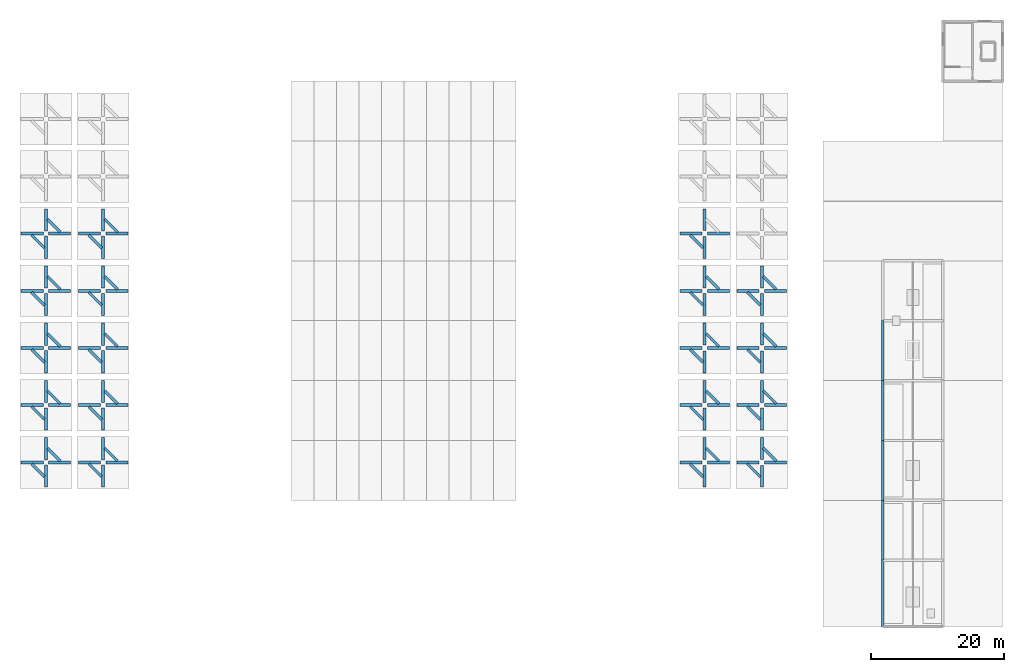
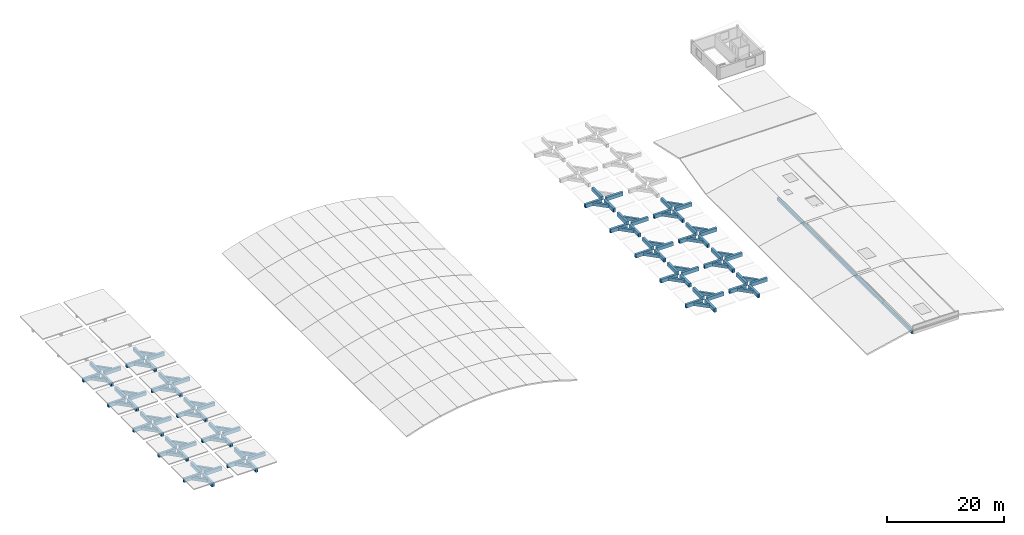
# One storey, part 2 of 7: 118 beams.
"""IFC4 building model written with IfcOpenShell, lengths in metres."""

import ifcopenshell
import ifcopenshell.guid

model = None  # the IFC model being written
_history = None  # IfcOwnerHistory: only IFC2X3 demands one
_inside = {}  # id of a spatial element -> (the spatial element, [elements in it])
_under = {}  # id of a project, library or spatial element -> (it, [spatial elements below it])
_declared = {}  # id of a project -> (the project, [libraries it declares])
_typed = {}  # id of a type object -> (the type object, [elements of that type])
_made_of = {}  # id of a material, layer set ... -> (it, [elements and type objects made of it])


def new_model(schema):
    """Start an empty IFC model of exactly this schema.

    Asked for "IFC4X3", IfcOpenShell would pick the latest addendum, in which some entities
    have other attributes; the version numbers below select the first issue.
    IFC2X3 requires an IfcOwnerHistory on every rooted entity: one is made here for all.
    """
    global model, _history
    if schema == "IFC4X3":
        model = ifcopenshell.file(schema_version=(4, 3, 0, 0))
    else:
        model = ifcopenshell.file(schema=schema)
    _inside.clear()
    _under.clear()
    _declared.clear()
    _typed.clear()
    _made_of.clear()
    _history = None
    if model.schema == "IFC2X3":
        org = make("IfcOrganization", Name="unknown")
        user = make(
            "IfcPersonAndOrganization",
            ThePerson=make("IfcPerson", FamilyName="unknown"),
            TheOrganization=org,
        )
        app = make(
            "IfcApplication",
            ApplicationDeveloper=org,
            Version="unknown",
            ApplicationFullName="unknown",
            ApplicationIdentifier="unknown",
        )
        _history = make(
            "IfcOwnerHistory",
            OwningUser=user,
            OwningApplication=app,
            ChangeAction="ADDED",
            CreationDate=0,
        )
    return model


def make(cls, **values):
    """One entity of the class cls with the attributes given. An attribute that is None is left unset."""
    return model.create_entity(
        cls, **{name: value for name, value in values.items() if value is not None}
    )


def rooted(cls, **values):
    """An entity with a GlobalId (a new one), such as an element, a storey or a relation."""
    return make(cls, GlobalId=ifcopenshell.guid.new(), OwnerHistory=_history, **values)


def si_unit(unit_type, name, prefix=None):
    """IfcSIUnit, for example si_unit("LENGTHUNIT", "METRE", prefix="MILLI")."""
    return make("IfcSIUnit", UnitType=unit_type, Prefix=prefix, Name=name)


def assignment(units):
    """IfcUnitAssignment: the units of a project."""
    return None if units is None else make("IfcUnitAssignment", Units=units)


def point(xyz):
    """IfcCartesianPoint."""
    return None if xyz is None else make("IfcCartesianPoint", Coordinates=xyz)


def direction(xyz):
    """IfcDirection."""
    return None if xyz is None else make("IfcDirection", DirectionRatios=xyz)


def frame(location, z_axis=None, x_axis=None):
    """IfcAxis2Placement3D, a coordinate frame: its origin and axes. An axis left out is left unset."""
    return make(
        "IfcAxis2Placement3D",
        Location=point(location),
        Axis=direction(z_axis),
        RefDirection=direction(x_axis),
    )


def frame_2d(location, x_axis=None):
    """IfcAxis2Placement2D, a coordinate frame in the plane: its origin and x axis."""
    return make(
        "IfcAxis2Placement2D", Location=point(location), RefDirection=direction(x_axis)
    )


def origin():
    """The frame at (0, 0, 0) with its axes left unset."""
    return frame((0.0, 0.0, 0.0))


def origin_2d():
    """The frame at (0, 0) in the plane with its x axis left unset."""
    return frame_2d((0.0, 0.0))


def place(relative_to, where):
    """IfcLocalPlacement: puts the frame where relative to a parent placement (None: the world)."""
    return make(
        "IfcLocalPlacement", PlacementRelTo=relative_to, RelativePlacement=where
    )


def context(
    kind, dimensions, precision=None, world=None, true_north=None, identifier=None
):
    """IfcGeometricRepresentationContext, for example the 3D "Model" context."""
    return make(
        "IfcGeometricRepresentationContext",
        ContextIdentifier=identifier,
        ContextType=kind,
        CoordinateSpaceDimension=dimensions,
        Precision=precision,
        WorldCoordinateSystem=world,
        TrueNorth=true_north,
    )


def subcontext(parent, identifier, kind, view, scale=None):
    """IfcGeometricRepresentationSubContext, for example "Body" below "Model"."""
    return make(
        "IfcGeometricRepresentationSubContext",
        ContextIdentifier=identifier,
        ContextType=kind,
        ParentContext=parent,
        TargetScale=scale,
        TargetView=view,
    )


def project(units=None, contexts=None):
    """IfcProject with its units and contexts."""
    return rooted(
        "IfcProject",
        Name="project",
        RepresentationContexts=contexts,
        UnitsInContext=assignment(units),
    )


def spatial(cls, under=None, at=None, **own):
    """A site, building, storey or space (cls), placed at a placement, below another one or the project."""
    s = rooted(cls, ObjectPlacement=at, **own)
    if under is not None:
        _under.setdefault(under.id(), (under, []))[1].append(s)
    return s


def profile(cls, at=None, kind="AREA", **sizes):
    """A parametric profile (cls). Its sizes go by their IFC names, for example OverallWidth=200.0."""
    return make(cls, ProfileType=kind, Position=at, **sizes)


def rectangle(**sizes):
    """IfcRectangleProfileDef."""
    return profile("IfcRectangleProfileDef", **sizes)


def extrude(swept, where, along, depth):
    """IfcExtrudedAreaSolid: the profile swept, set in the frame where, extruded along a direction by depth."""
    return make(
        "IfcExtrudedAreaSolid",
        SweptArea=swept,
        Position=where,
        ExtrudedDirection=direction(along),
        Depth=depth,
    )


def shape(context_of_items, identifier, shape_type, items):
    """IfcShapeRepresentation: the items that make up one representation, for example the "Body"."""
    return make(
        "IfcShapeRepresentation",
        ContextOfItems=context_of_items,
        RepresentationIdentifier=identifier,
        RepresentationType=shape_type,
        Items=items,
    )


def material(Name=None, Category=None):
    """IfcMaterial."""
    return make("IfcMaterial", Name=Name, Category=Category)


def material_profile(
    of_material, cross_section, Name=None, Category=None, Priority=None
):
    """IfcMaterialProfile: a cross section and its material."""
    return make(
        "IfcMaterialProfile",
        Name=Name,
        Material=of_material,
        Profile=cross_section,
        Priority=Priority,
        Category=Category,
    )


def profile_set(profiles, Name=None, composite=None):
    """IfcMaterialProfileSet."""
    return make(
        "IfcMaterialProfileSet",
        Name=Name,
        MaterialProfiles=profiles,
        CompositeProfile=composite,
    )


def made_of(thing, what):
    """Note that an element or type object is made of a material, layer set ...; save() writes the relation."""
    if what is not None:
        _made_of.setdefault(what.id(), (what, []))[1].append(thing)
    return thing


def type_object(cls, material=None, **own):
    """A type object (cls), such as IfcWallType, which elements share."""
    return made_of(rooted(cls, **own), material)


def element(
    cls,
    number,
    at=None,
    inside=None,
    cuts=None,
    type_object=None,
    material=None,
    context=None,
    identifier="Body",
    shape_type=None,
    held_by="IfcProductDefinitionShape",
    body=None,
    shapes=None,
    **own,
):
    """One element of the class cls, such as IfcWall. Its Tag is "e" and its number.

    at: its placement. inside: the storey or other place that contains it. cuts: it is an
    opening in that element (IfcRelVoidsElement). A single representation is given by context,
    identifier, shape_type and body (its items); several are given by shapes. held_by: the class
    of the entity that holds the representations. save() writes the other relations.
    """
    e = rooted(cls, Tag="e%d" % number, ObjectPlacement=at, **own)
    if body is not None:
        shapes = [shape(context, identifier, shape_type, body)]
    if shapes is not None:
        e.Representation = make(held_by, Representations=shapes)
    if inside is not None:
        _inside.setdefault(inside.id(), (inside, []))[1].append(e)
    if cuts is not None:
        rooted(
            "IfcRelVoidsElement", RelatingBuildingElement=cuts, RelatedOpeningElement=e
        )
    if type_object is not None:
        _typed.setdefault(type_object.id(), (type_object, []))[1].append(e)
    return made_of(e, material)


def aggregate(whole, parts):
    """IfcRelAggregates: a whole, such as a stair, and the parts it consists of."""
    return rooted("IfcRelAggregates", RelatingObject=whole, RelatedObjects=parts)


def save(model, path):
    """Write the relations noted so far, then the file.

    IfcRelAggregates (storeys below a building ...), IfcRelContainedInSpatialStructure (elements
    in a storey), IfcRelDefinesByType, IfcRelAssociatesMaterial and IfcRelDeclares: one each for
    every whole, place, type object, material and project.
    """
    for whole, parts in _under.values():
        aggregate(whole, parts)
    for where, things in _inside.values():
        rooted(
            "IfcRelContainedInSpatialStructure",
            RelatedElements=things,
            RelatingStructure=where,
        )
    for kind, things in _typed.values():
        rooted("IfcRelDefinesByType", RelatedObjects=things, RelatingType=kind)
    for what, things in _made_of.values():
        rooted("IfcRelAssociatesMaterial", RelatedObjects=things, RelatingMaterial=what)
    for by, libraries in _declared.values():
        rooted("IfcRelDeclares", RelatingContext=by, RelatedDefinitions=libraries)
    model.write(path)


model = new_model("IFC4")

# Units and contexts
model_context = context("Model", 3, precision=1e-05, world=origin(), true_north=direction((0.0, 1.0)))
body_context = subcontext(model_context, "Body", "Model", "MODEL_VIEW")
ifc_project = project(units=[si_unit("LENGTHUNIT", "METRE"), si_unit("AREAUNIT", "SQUARE_METRE"), si_unit("VOLUMEUNIT", "CUBIC_METRE"), si_unit("PLANEANGLEUNIT", "RADIAN"), si_unit("MASSUNIT", "GRAM", prefix="KILO")], contexts=[model_context])

# Site, building, storey
site_placement = place(None, origin())
site = spatial("IfcSite", under=ifc_project, at=site_placement, CompositionType="ELEMENT")
building_placement = place(site_placement, origin())
building = spatial("IfcBuilding", under=site, at=building_placement, Name="Ornek Quay Market", CompositionType="ELEMENT")
storey_placement = place(building_placement, frame((0.0, 0.0, 16.64990234375)))
storey = spatial("IfcBuildingStorey", under=building, at=storey_placement, Name="ROOF", CompositionType="ELEMENT", Elevation=16.64990234375)

# Beams
ifc_material_1 = material(Name="Concrete C35/45", Category="concrete")
ifc_material_profile_1 = material_profile(ifc_material_1, rectangle(XDim=0.35009765625, YDim=0.60009765625, at=origin_2d()), Name="RC 350x600", Category="concrete")
ifc_profile_set_1 = profile_set([ifc_material_profile_1], Name="Concrete C35/45")
beam_type_1 = type_object("IfcBeamType", Name="BM-RF-350x600", PredefinedType="BEAM", material=ifc_profile_set_1)
beam_1_placement = place(storey_placement, frame((162.0, 10.0, 0.130126953125), z_axis=(0.0, 1.0, 0.0), x_axis=(-1.0, 0.0, 0.0)))
element("IfcBeam", 1, at=beam_1_placement, inside=storey, type_object=beam_type_1, Name="Primary beam B-RF1-038", PredefinedType="BEAM", context=body_context, shape_type="SweptSolid", body=[
    extrude(rectangle(XDim=0.35009765625, YDim=0.60009765625, at=origin_2d()), origin(), (0.0, 0.0, 1.0), 10.0),
])
for number, where, z_axis, x_axis, name in (
    (2, (162.0, 20.0, 0.130126953125), (0.0, 1.0, 0.0), (-1.0, 0.0, 0.0), "Primary beam B-RF1-039"),
    (3, (162.0, 29.0, 0.130126953125), (0.0, 1.0, 0.0), (-1.0, 0.0, 0.0), "Primary beam B-RF1-040"),
    (4, (162.0, 38.0, 0.130126953125), (0.0, 1.0, 0.0), (-1.0, 0.0, 0.0), "Primary beam B-RF1-041"),
    (5, (162.0, 47.0, 0.130126953125), (0.0, 1.0, 0.0), (-1.0, 0.0, 0.0), "Primary beam B-RF1-042"),
):
    element("IfcBeam", number, at=place(storey_placement, frame(where, z_axis=z_axis, x_axis=x_axis)), inside=storey, type_object=beam_type_1, Name=name, PredefinedType="BEAM", context=body_context, shape_type="SweptSolid", body=[
        extrude(rectangle(XDim=0.35009765625, YDim=0.60009765625, at=origin_2d()), origin(), (0.0, 0.0, 1.0), 9.0),
    ])
ifc_material_2 = material(Name="Concrete C40/50", Category="concrete")
ifc_material_profile_2 = material_profile(ifc_material_2, rectangle(XDim=0.39990234375, YDim=0.64990234375, at=origin_2d()), Name="RC 400x650", Category="concrete")
ifc_profile_set_2 = profile_set([ifc_material_profile_2], Name="Concrete C40/50")
beam_type_2 = type_object("IfcBeamType", Name="BM-UMB-400x650", PredefinedType="BEAM", material=ifc_profile_set_2)
for number, where, z_axis, x_axis, name in (
    (6, (38.35009765625, 34.925048828125, -0.294921875), (-0.707106781187, 0.707106781187, 0.0), (-0.707106781187, -0.707106781187, 0.0), "Umbrella diagonal rib UMB-W01 EN"),
    (7, (34.050048828125, 34.47509765625, -0.294921875), (0.707106781187, -0.707106781187, 0.0), (0.707106781187, 0.707106781187, 0.0), "Umbrella diagonal rib UMB-W01 WS"),
    (8, (38.35009765625, 43.52490234375, -0.294921875), (-0.707106781187, 0.707106781187, 0.0), (-0.707106781187, -0.707106781187, 0.0), "Umbrella diagonal rib UMB-W02 EN"),
    (9, (34.050048828125, 43.074951171875, -0.294921875), (0.707106781187, -0.707106781187, 0.0), (0.707106781187, 0.707106781187, 0.0), "Umbrella diagonal rib UMB-W02 WS"),
    (10, (38.35009765625, 52.125, -0.294921875), (-0.707106781187, 0.707106781187, 0.0), (-0.707106781187, -0.707106781187, 0.0), "Umbrella diagonal rib UMB-W03 EN"),
    (11, (34.050048828125, 51.675048828125, -0.294921875), (0.707106781187, -0.707106781187, 0.0), (0.707106781187, 0.707106781187, 0.0), "Umbrella diagonal rib UMB-W03 WS"),
):
    element("IfcBeam", number, at=place(storey_placement, frame(where, z_axis=z_axis, x_axis=x_axis)), inside=storey, type_object=beam_type_2, Name=name, PredefinedType="BEAM", context=body_context, shape_type="SweptSolid", body=[
        extrude(rectangle(XDim=0.39990234375, YDim=0.64990234375, at=origin_2d()), origin(), (0.0, 0.0, 1.0), 2.722412109375),
    ])
for number, where, z_axis, x_axis, name in (
    (12, (38.35009765625, 60.72509765625, -0.294921875), (-0.707151621339, 0.707061938191, 0.0), (-0.707061938191, -0.707151621339, 0.0), "Umbrella diagonal rib UMB-W04 EN"),
    (13, (34.050048828125, 60.27490234375, -0.294921875), (0.707151621339, -0.707061938191, 0.0), (0.707061938191, 0.707151621339, 0.0), "Umbrella diagonal rib UMB-W04 WS"),
):
    element("IfcBeam", number, at=place(storey_placement, frame(where, z_axis=z_axis, x_axis=x_axis)), inside=storey, type_object=beam_type_2, Name=name, PredefinedType="BEAM", context=body_context, shape_type="SweptSolid", body=[
        extrude(rectangle(XDim=0.39990234375, YDim=0.64990234375, at=origin_2d()), origin(), (0.0, 0.0, 1.0), 2.72216796875),
    ])
for number, where, z_axis, x_axis, name in (
    (14, (38.35009765625, 69.324951171875, -0.294921875), (-0.707106781187, 0.707106781187, 0.0), (-0.707106781187, -0.707106781187, 0.0), "Umbrella diagonal rib UMB-W05 EN"),
    (15, (34.050048828125, 68.875, -0.294921875), (0.707106781187, -0.707106781187, 0.0), (0.707106781187, 0.707106781187, 0.0), "Umbrella diagonal rib UMB-W05 WS"),
    (16, (46.949951171875, 34.925048828125, -0.294921875), (-0.707106781187, 0.707106781187, 0.0), (-0.707106781187, -0.707106781187, 0.0), "Umbrella diagonal rib UMB-W08 EN"),
    (17, (42.64990234375, 34.47509765625, -0.294921875), (0.707106781187, -0.707106781187, 0.0), (0.707106781187, 0.707106781187, 0.0), "Umbrella diagonal rib UMB-W08 WS"),
    (18, (46.949951171875, 43.52490234375, -0.294921875), (-0.707106781187, 0.707106781187, 0.0), (-0.707106781187, -0.707106781187, 0.0), "Umbrella diagonal rib UMB-W09 EN"),
    (19, (42.64990234375, 43.074951171875, -0.294921875), (0.707106781187, -0.707106781187, 0.0), (0.707106781187, 0.707106781187, 0.0), "Umbrella diagonal rib UMB-W09 WS"),
    (20, (46.949951171875, 52.125, -0.294921875), (-0.707106781187, 0.707106781187, 0.0), (-0.707106781187, -0.707106781187, 0.0), "Umbrella diagonal rib UMB-W10 EN"),
    (21, (42.64990234375, 51.675048828125, -0.294921875), (0.707106781187, -0.707106781187, 0.0), (0.707106781187, 0.707106781187, 0.0), "Umbrella diagonal rib UMB-W10 WS"),
):
    element("IfcBeam", number, at=place(storey_placement, frame(where, z_axis=z_axis, x_axis=x_axis)), inside=storey, type_object=beam_type_2, Name=name, PredefinedType="BEAM", context=body_context, shape_type="SweptSolid", body=[
        extrude(rectangle(XDim=0.39990234375, YDim=0.64990234375, at=origin_2d()), origin(), (0.0, 0.0, 1.0), 2.722412109375),
    ])
for number, where, z_axis, x_axis, name in (
    (22, (46.949951171875, 60.72509765625, -0.294921875), (-0.707151621339, 0.707061938191, 0.0), (-0.707061938191, -0.707151621339, 0.0), "Umbrella diagonal rib UMB-W11 EN"),
    (23, (42.64990234375, 60.27490234375, -0.294921875), (0.707151621339, -0.707061938191, 0.0), (0.707061938191, 0.707151621339, 0.0), "Umbrella diagonal rib UMB-W11 WS"),
):
    element("IfcBeam", number, at=place(storey_placement, frame(where, z_axis=z_axis, x_axis=x_axis)), inside=storey, type_object=beam_type_2, Name=name, PredefinedType="BEAM", context=body_context, shape_type="SweptSolid", body=[
        extrude(rectangle(XDim=0.39990234375, YDim=0.64990234375, at=origin_2d()), origin(), (0.0, 0.0, 1.0), 2.72216796875),
    ])
for number, where, z_axis, x_axis, name in (
    (24, (46.949951171875, 69.324951171875, -0.294921875), (-0.707106781187, 0.707106781187, 0.0), (-0.707106781187, -0.707106781187, 0.0), "Umbrella diagonal rib UMB-W12 EN"),
    (25, (42.64990234375, 68.875, -0.294921875), (0.707106781187, -0.707106781187, 0.0), (0.707106781187, 0.707106781187, 0.0), "Umbrella diagonal rib UMB-W12 WS"),
    (26, (137.35009765625, 34.925048828125, 1.405029296875), (-0.707106781187, 0.707106781187, 0.0), (-0.707106781187, -0.707106781187, 0.0), "Umbrella diagonal rib UMB-E01 EN"),
    (27, (133.050048828125, 34.47509765625, 1.405029296875), (0.707106781187, -0.707106781187, 0.0), (0.707106781187, 0.707106781187, 0.0), "Umbrella diagonal rib UMB-E01 WS"),
    (28, (137.35009765625, 43.52490234375, 1.405029296875), (-0.707106781187, 0.707106781187, 0.0), (-0.707106781187, -0.707106781187, 0.0), "Umbrella diagonal rib UMB-E02 EN"),
    (29, (133.050048828125, 43.074951171875, 1.405029296875), (0.707106781187, -0.707106781187, 0.0), (0.707106781187, 0.707106781187, 0.0), "Umbrella diagonal rib UMB-E02 WS"),
    (30, (137.35009765625, 52.125, 1.405029296875), (-0.707106781187, 0.707106781187, 0.0), (-0.707106781187, -0.707106781187, 0.0), "Umbrella diagonal rib UMB-E03 EN"),
    (31, (133.050048828125, 51.675048828125, 1.405029296875), (0.707106781187, -0.707106781187, 0.0), (0.707106781187, 0.707106781187, 0.0), "Umbrella diagonal rib UMB-E03 WS"),
):
    element("IfcBeam", number, at=place(storey_placement, frame(where, z_axis=z_axis, x_axis=x_axis)), inside=storey, type_object=beam_type_2, Name=name, PredefinedType="BEAM", context=body_context, shape_type="SweptSolid", body=[
        extrude(rectangle(XDim=0.39990234375, YDim=0.64990234375, at=origin_2d()), origin(), (0.0, 0.0, 1.0), 2.722412109375),
    ])
for number, where, z_axis, x_axis, name in (
    (32, (137.35009765625, 60.72509765625, 1.405029296875), (-0.707151621339, 0.707061938191, 0.0), (-0.707061938191, -0.707151621339, 0.0), "Umbrella diagonal rib UMB-E04 EN"),
    (33, (133.050048828125, 60.27490234375, 1.405029296875), (0.707151621339, -0.707061938191, 0.0), (0.707061938191, 0.707151621339, 0.0), "Umbrella diagonal rib UMB-E04 WS"),
):
    element("IfcBeam", number, at=place(storey_placement, frame(where, z_axis=z_axis, x_axis=x_axis)), inside=storey, type_object=beam_type_2, Name=name, PredefinedType="BEAM", context=body_context, shape_type="SweptSolid", body=[
        extrude(rectangle(XDim=0.39990234375, YDim=0.64990234375, at=origin_2d()), origin(), (0.0, 0.0, 1.0), 2.72216796875),
    ])
for number, where, z_axis, x_axis, name in (
    (34, (133.050048828125, 68.875, 1.405029296875), (0.707106781187, -0.707106781187, 0.0), (0.707106781187, 0.707106781187, 0.0), "Umbrella diagonal rib UMB-E05 WS"),
    (35, (145.949951171875, 34.925048828125, 1.405029296875), (-0.707106781187, 0.707106781187, 0.0), (-0.707106781187, -0.707106781187, 0.0), "Umbrella diagonal rib UMB-E08 EN"),
    (36, (141.64990234375, 34.47509765625, 1.405029296875), (0.707106781187, -0.707106781187, 0.0), (0.707106781187, 0.707106781187, 0.0), "Umbrella diagonal rib UMB-E08 WS"),
    (37, (145.949951171875, 43.52490234375, 1.405029296875), (-0.707106781187, 0.707106781187, 0.0), (-0.707106781187, -0.707106781187, 0.0), "Umbrella diagonal rib UMB-E09 EN"),
    (38, (141.64990234375, 43.074951171875, 1.405029296875), (0.707106781187, -0.707106781187, 0.0), (0.707106781187, 0.707106781187, 0.0), "Umbrella diagonal rib UMB-E09 WS"),
    (39, (145.949951171875, 52.125, 1.405029296875), (-0.707106781187, 0.707106781187, 0.0), (-0.707106781187, -0.707106781187, 0.0), "Umbrella diagonal rib UMB-E10 EN"),
    (40, (141.64990234375, 51.675048828125, 1.405029296875), (0.707106781187, -0.707106781187, 0.0), (0.707106781187, 0.707106781187, 0.0), "Umbrella diagonal rib UMB-E10 WS"),
):
    element("IfcBeam", number, at=place(storey_placement, frame(where, z_axis=z_axis, x_axis=x_axis)), inside=storey, type_object=beam_type_2, Name=name, PredefinedType="BEAM", context=body_context, shape_type="SweptSolid", body=[
        extrude(rectangle(XDim=0.39990234375, YDim=0.64990234375, at=origin_2d()), origin(), (0.0, 0.0, 1.0), 2.722412109375),
    ])
for number, where, z_axis, x_axis, name in (
    (41, (145.949951171875, 60.72509765625, 1.405029296875), (-0.707151621339, 0.707061938191, 0.0), (-0.707061938191, -0.707151621339, 0.0), "Umbrella diagonal rib UMB-E11 EN"),
    (42, (141.64990234375, 60.27490234375, 1.405029296875), (0.707151621339, -0.707061938191, 0.0), (0.707061938191, 0.707151621339, 0.0), "Umbrella diagonal rib UMB-E11 WS"),
):
    element("IfcBeam", number, at=place(storey_placement, frame(where, z_axis=z_axis, x_axis=x_axis)), inside=storey, type_object=beam_type_2, Name=name, PredefinedType="BEAM", context=body_context, shape_type="SweptSolid", body=[
        extrude(rectangle(XDim=0.39990234375, YDim=0.64990234375, at=origin_2d()), origin(), (0.0, 0.0, 1.0), 2.72216796875),
    ])
ifc_material_profile_3 = material_profile(ifc_material_2, rectangle(XDim=0.449951171875, YDim=0.75, at=origin_2d()), Name="RC 450x750", Category="concrete")
ifc_profile_set_3 = profile_set([ifc_material_profile_3], Name="Concrete C40/50")
beam_type_3 = type_object("IfcBeamType", Name="BM-UMB-450x750", PredefinedType="BEAM", material=ifc_profile_set_3)
beam_2_placement = place(storey_placement, frame((36.60009765625, 34.699951171875, -0.344970703125), z_axis=(1.0, 0.0, 0.0), x_axis=(0.0, 1.0, 0.0)))
element("IfcBeam", 43, at=beam_2_placement, inside=storey, type_object=beam_type_3, Name="Umbrella cantilever rib UMB-W01 E", PredefinedType="BEAM", context=body_context, shape_type="SweptSolid", body=[
    extrude(rectangle(XDim=0.449951171875, YDim=0.75, at=origin_2d()), origin(), (0.0, 0.0, 1.0), 3.31982421875),
])
beam_3_placement = place(storey_placement, frame((35.800048828125, 34.699951171875, -0.344970703125), z_axis=(-1.0, 0.0, 0.0), x_axis=(0.0, -1.0, 0.0)))
element("IfcBeam", 44, at=beam_3_placement, inside=storey, type_object=beam_type_3, Name="Umbrella cantilever rib UMB-W01 W", PredefinedType="BEAM", context=body_context, shape_type="SweptSolid", body=[
    extrude(rectangle(XDim=0.449951171875, YDim=0.75, at=origin_2d()), origin(), (0.0, 0.0, 1.0), 3.320068359375),
])
beam_4_placement = place(storey_placement, frame((36.199951171875, 35.10009765625, -0.344970703125), z_axis=(0.0, 1.0, 0.0), x_axis=(-1.0, 0.0, 0.0)))
element("IfcBeam", 45, at=beam_4_placement, inside=storey, type_object=beam_type_3, Name="Umbrella cantilever rib UMB-W01 N", PredefinedType="BEAM", context=body_context, shape_type="SweptSolid", body=[
    extrude(rectangle(XDim=0.449951171875, YDim=0.75, at=origin_2d()), origin(), (0.0, 0.0, 1.0), 3.31982421875),
])
beam_5_placement = place(storey_placement, frame((36.199951171875, 34.300048828125, -0.344970703125), z_axis=(0.0, -1.0, 0.0), x_axis=(1.0, 0.0, 0.0)))
element("IfcBeam", 46, at=beam_5_placement, inside=storey, type_object=beam_type_3, Name="Umbrella cantilever rib UMB-W01 S", PredefinedType="BEAM", context=body_context, shape_type="SweptSolid", body=[
    extrude(rectangle(XDim=0.449951171875, YDim=0.75, at=origin_2d()), origin(), (0.0, 0.0, 1.0), 3.320068359375),
])
beam_6_placement = place(storey_placement, frame((36.60009765625, 43.300048828125, -0.344970703125), z_axis=(1.0, 0.0, 0.0), x_axis=(0.0, 1.0, 0.0)))
element("IfcBeam", 47, at=beam_6_placement, inside=storey, type_object=beam_type_3, Name="Umbrella cantilever rib UMB-W02 E", PredefinedType="BEAM", context=body_context, shape_type="SweptSolid", body=[
    extrude(rectangle(XDim=0.449951171875, YDim=0.75, at=origin_2d()), origin(), (0.0, 0.0, 1.0), 3.31982421875),
])
for number, where, z_axis, x_axis, name in (
    (48, (35.800048828125, 43.300048828125, -0.344970703125), (-1.0, 0.0, 0.0), (0.0, -1.0, 0.0), "Umbrella cantilever rib UMB-W02 W"),
    (49, (36.199951171875, 43.699951171875, -0.344970703125), (0.0, 1.0, 0.0), (-1.0, 0.0, 0.0), "Umbrella cantilever rib UMB-W02 N"),
):
    element("IfcBeam", number, at=place(storey_placement, frame(where, z_axis=z_axis, x_axis=x_axis)), inside=storey, type_object=beam_type_3, Name=name, PredefinedType="BEAM", context=body_context, shape_type="SweptSolid", body=[
        extrude(rectangle(XDim=0.449951171875, YDim=0.75, at=origin_2d()), origin(), (0.0, 0.0, 1.0), 3.320068359375),
    ])
for number, where, z_axis, x_axis, name in (
    (50, (36.199951171875, 42.89990234375, -0.344970703125), (0.0, -1.0, 0.0), (1.0, 0.0, 0.0), "Umbrella cantilever rib UMB-W02 S"),
    (51, (36.60009765625, 51.89990234375, -0.344970703125), (1.0, 0.0, 0.0), (0.0, 1.0, 0.0), "Umbrella cantilever rib UMB-W03 E"),
):
    element("IfcBeam", number, at=place(storey_placement, frame(where, z_axis=z_axis, x_axis=x_axis)), inside=storey, type_object=beam_type_3, Name=name, PredefinedType="BEAM", context=body_context, shape_type="SweptSolid", body=[
        extrude(rectangle(XDim=0.449951171875, YDim=0.75, at=origin_2d()), origin(), (0.0, 0.0, 1.0), 3.31982421875),
    ])
for number, where, z_axis, x_axis, name in (
    (52, (35.800048828125, 51.89990234375, -0.344970703125), (-1.0, 0.0, 0.0), (0.0, -1.0, 0.0), "Umbrella cantilever rib UMB-W03 W"),
    (53, (36.199951171875, 52.300048828125, -0.344970703125), (0.0, 1.0, 0.0), (-1.0, 0.0, 0.0), "Umbrella cantilever rib UMB-W03 N"),
    (54, (36.199951171875, 51.5, -0.344970703125), (0.0, -1.0, 0.0), (1.0, 0.0, 0.0), "Umbrella cantilever rib UMB-W03 S"),
):
    element("IfcBeam", number, at=place(storey_placement, frame(where, z_axis=z_axis, x_axis=x_axis)), inside=storey, type_object=beam_type_3, Name=name, PredefinedType="BEAM", context=body_context, shape_type="SweptSolid", body=[
        extrude(rectangle(XDim=0.449951171875, YDim=0.75, at=origin_2d()), origin(), (0.0, 0.0, 1.0), 3.320068359375),
    ])
beam_7_placement = place(storey_placement, frame((36.60009765625, 60.5, -0.344970703125), z_axis=(1.0, 0.0, 0.0), x_axis=(0.0, 1.0, 0.0)))
element("IfcBeam", 55, at=beam_7_placement, inside=storey, type_object=beam_type_3, Name="Umbrella cantilever rib UMB-W04 E", PredefinedType="BEAM", context=body_context, shape_type="SweptSolid", body=[
    extrude(rectangle(XDim=0.449951171875, YDim=0.75, at=origin_2d()), origin(), (0.0, 0.0, 1.0), 3.31982421875),
])
for number, where, z_axis, x_axis, name in (
    (56, (35.800048828125, 60.5, -0.344970703125), (-1.0, 0.0, 0.0), (0.0, -1.0, 0.0), "Umbrella cantilever rib UMB-W04 W"),
    (57, (36.199951171875, 60.89990234375, -0.344970703125), (0.0, 1.0, 0.0), (-1.0, 0.0, 0.0), "Umbrella cantilever rib UMB-W04 N"),
    (58, (36.199951171875, 60.10009765625, -0.344970703125), (0.0, -1.0, 0.0), (1.0, 0.0, 0.0), "Umbrella cantilever rib UMB-W04 S"),
):
    element("IfcBeam", number, at=place(storey_placement, frame(where, z_axis=z_axis, x_axis=x_axis)), inside=storey, type_object=beam_type_3, Name=name, PredefinedType="BEAM", context=body_context, shape_type="SweptSolid", body=[
        extrude(rectangle(XDim=0.449951171875, YDim=0.75, at=origin_2d()), origin(), (0.0, 0.0, 1.0), 3.320068359375),
    ])
beam_8_placement = place(storey_placement, frame((36.60009765625, 69.10009765625, -0.344970703125), z_axis=(1.0, 0.0, 0.0), x_axis=(0.0, 1.0, 0.0)))
element("IfcBeam", 59, at=beam_8_placement, inside=storey, type_object=beam_type_3, Name="Umbrella cantilever rib UMB-W05 E", PredefinedType="BEAM", context=body_context, shape_type="SweptSolid", body=[
    extrude(rectangle(XDim=0.449951171875, YDim=0.75, at=origin_2d()), origin(), (0.0, 0.0, 1.0), 3.31982421875),
])
for number, where, z_axis, x_axis, name in (
    (60, (35.800048828125, 69.10009765625, -0.344970703125), (-1.0, 0.0, 0.0), (0.0, -1.0, 0.0), "Umbrella cantilever rib UMB-W05 W"),
    (61, (36.199951171875, 69.5, -0.344970703125), (0.0, 1.0, 0.0), (-1.0, 0.0, 0.0), "Umbrella cantilever rib UMB-W05 N"),
    (62, (36.199951171875, 68.699951171875, -0.344970703125), (0.0, -1.0, 0.0), (1.0, 0.0, 0.0), "Umbrella cantilever rib UMB-W05 S"),
    (63, (45.199951171875, 34.699951171875, -0.344970703125), (1.0, 0.0, 0.0), (0.0, 1.0, 0.0), "Umbrella cantilever rib UMB-W08 E"),
):
    element("IfcBeam", number, at=place(storey_placement, frame(where, z_axis=z_axis, x_axis=x_axis)), inside=storey, type_object=beam_type_3, Name=name, PredefinedType="BEAM", context=body_context, shape_type="SweptSolid", body=[
        extrude(rectangle(XDim=0.449951171875, YDim=0.75, at=origin_2d()), origin(), (0.0, 0.0, 1.0), 3.320068359375),
    ])
for number, where, z_axis, x_axis, name in (
    (64, (44.39990234375, 34.699951171875, -0.344970703125), (-1.0, 0.0, 0.0), (0.0, -1.0, 0.0), "Umbrella cantilever rib UMB-W08 W"),
    (65, (44.800048828125, 35.10009765625, -0.344970703125), (0.0, 1.0, 0.0), (-1.0, 0.0, 0.0), "Umbrella cantilever rib UMB-W08 N"),
):
    element("IfcBeam", number, at=place(storey_placement, frame(where, z_axis=z_axis, x_axis=x_axis)), inside=storey, type_object=beam_type_3, Name=name, PredefinedType="BEAM", context=body_context, shape_type="SweptSolid", body=[
        extrude(rectangle(XDim=0.449951171875, YDim=0.75, at=origin_2d()), origin(), (0.0, 0.0, 1.0), 3.31982421875),
    ])
for number, where, z_axis, x_axis, name in (
    (66, (44.800048828125, 34.300048828125, -0.344970703125), (0.0, -1.0, 0.0), (1.0, 0.0, 0.0), "Umbrella cantilever rib UMB-W08 S"),
    (67, (45.199951171875, 43.300048828125, -0.344970703125), (1.0, 0.0, 0.0), (0.0, 1.0, 0.0), "Umbrella cantilever rib UMB-W09 E"),
):
    element("IfcBeam", number, at=place(storey_placement, frame(where, z_axis=z_axis, x_axis=x_axis)), inside=storey, type_object=beam_type_3, Name=name, PredefinedType="BEAM", context=body_context, shape_type="SweptSolid", body=[
        extrude(rectangle(XDim=0.449951171875, YDim=0.75, at=origin_2d()), origin(), (0.0, 0.0, 1.0), 3.320068359375),
    ])
beam_9_placement = place(storey_placement, frame((44.39990234375, 43.300048828125, -0.344970703125), z_axis=(-1.0, 0.0, 0.0), x_axis=(0.0, -1.0, 0.0)))
element("IfcBeam", 68, at=beam_9_placement, inside=storey, type_object=beam_type_3, Name="Umbrella cantilever rib UMB-W09 W", PredefinedType="BEAM", context=body_context, shape_type="SweptSolid", body=[
    extrude(rectangle(XDim=0.449951171875, YDim=0.75, at=origin_2d()), origin(), (0.0, 0.0, 1.0), 3.31982421875),
])
beam_10_placement = place(storey_placement, frame((44.800048828125, 43.699951171875, -0.344970703125), z_axis=(0.0, 1.0, 0.0), x_axis=(-1.0, 0.0, 0.0)))
element("IfcBeam", 69, at=beam_10_placement, inside=storey, type_object=beam_type_3, Name="Umbrella cantilever rib UMB-W09 N", PredefinedType="BEAM", context=body_context, shape_type="SweptSolid", body=[
    extrude(rectangle(XDim=0.449951171875, YDim=0.75, at=origin_2d()), origin(), (0.0, 0.0, 1.0), 3.320068359375),
])
beam_11_placement = place(storey_placement, frame((44.800048828125, 42.89990234375, -0.344970703125), z_axis=(0.0, -1.0, 0.0), x_axis=(1.0, 0.0, 0.0)))
element("IfcBeam", 70, at=beam_11_placement, inside=storey, type_object=beam_type_3, Name="Umbrella cantilever rib UMB-W09 S", PredefinedType="BEAM", context=body_context, shape_type="SweptSolid", body=[
    extrude(rectangle(XDim=0.449951171875, YDim=0.75, at=origin_2d()), origin(), (0.0, 0.0, 1.0), 3.31982421875),
])
beam_12_placement = place(storey_placement, frame((45.199951171875, 51.89990234375, -0.344970703125), z_axis=(1.0, 0.0, 0.0), x_axis=(0.0, 1.0, 0.0)))
element("IfcBeam", 71, at=beam_12_placement, inside=storey, type_object=beam_type_3, Name="Umbrella cantilever rib UMB-W10 E", PredefinedType="BEAM", context=body_context, shape_type="SweptSolid", body=[
    extrude(rectangle(XDim=0.449951171875, YDim=0.75, at=origin_2d()), origin(), (0.0, 0.0, 1.0), 3.320068359375),
])
beam_13_placement = place(storey_placement, frame((44.39990234375, 51.89990234375, -0.344970703125), z_axis=(-1.0, 0.0, 0.0), x_axis=(0.0, -1.0, 0.0)))
element("IfcBeam", 72, at=beam_13_placement, inside=storey, type_object=beam_type_3, Name="Umbrella cantilever rib UMB-W10 W", PredefinedType="BEAM", context=body_context, shape_type="SweptSolid", body=[
    extrude(rectangle(XDim=0.449951171875, YDim=0.75, at=origin_2d()), origin(), (0.0, 0.0, 1.0), 3.31982421875),
])
for number, where, z_axis, x_axis, name in (
    (73, (44.800048828125, 52.300048828125, -0.344970703125), (0.0, 1.0, 0.0), (-1.0, 0.0, 0.0), "Umbrella cantilever rib UMB-W10 N"),
    (74, (44.800048828125, 51.5, -0.344970703125), (0.0, -1.0, 0.0), (1.0, 0.0, 0.0), "Umbrella cantilever rib UMB-W10 S"),
    (75, (45.199951171875, 60.5, -0.344970703125), (1.0, 0.0, 0.0), (0.0, 1.0, 0.0), "Umbrella cantilever rib UMB-W11 E"),
):
    element("IfcBeam", number, at=place(storey_placement, frame(where, z_axis=z_axis, x_axis=x_axis)), inside=storey, type_object=beam_type_3, Name=name, PredefinedType="BEAM", context=body_context, shape_type="SweptSolid", body=[
        extrude(rectangle(XDim=0.449951171875, YDim=0.75, at=origin_2d()), origin(), (0.0, 0.0, 1.0), 3.320068359375),
    ])
beam_14_placement = place(storey_placement, frame((44.39990234375, 60.5, -0.344970703125), z_axis=(-1.0, 0.0, 0.0), x_axis=(0.0, -1.0, 0.0)))
element("IfcBeam", 76, at=beam_14_placement, inside=storey, type_object=beam_type_3, Name="Umbrella cantilever rib UMB-W11 W", PredefinedType="BEAM", context=body_context, shape_type="SweptSolid", body=[
    extrude(rectangle(XDim=0.449951171875, YDim=0.75, at=origin_2d()), origin(), (0.0, 0.0, 1.0), 3.31982421875),
])
for number, where, z_axis, x_axis, name in (
    (77, (44.800048828125, 60.89990234375, -0.344970703125), (0.0, 1.0, 0.0), (-1.0, 0.0, 0.0), "Umbrella cantilever rib UMB-W11 N"),
    (78, (44.800048828125, 60.10009765625, -0.344970703125), (0.0, -1.0, 0.0), (1.0, 0.0, 0.0), "Umbrella cantilever rib UMB-W11 S"),
    (79, (45.199951171875, 69.10009765625, -0.344970703125), (1.0, 0.0, 0.0), (0.0, 1.0, 0.0), "Umbrella cantilever rib UMB-W12 E"),
):
    element("IfcBeam", number, at=place(storey_placement, frame(where, z_axis=z_axis, x_axis=x_axis)), inside=storey, type_object=beam_type_3, Name=name, PredefinedType="BEAM", context=body_context, shape_type="SweptSolid", body=[
        extrude(rectangle(XDim=0.449951171875, YDim=0.75, at=origin_2d()), origin(), (0.0, 0.0, 1.0), 3.320068359375),
    ])
beam_15_placement = place(storey_placement, frame((44.39990234375, 69.10009765625, -0.344970703125), z_axis=(-1.0, 0.0, 0.0), x_axis=(0.0, -1.0, 0.0)))
element("IfcBeam", 80, at=beam_15_placement, inside=storey, type_object=beam_type_3, Name="Umbrella cantilever rib UMB-W12 W", PredefinedType="BEAM", context=body_context, shape_type="SweptSolid", body=[
    extrude(rectangle(XDim=0.449951171875, YDim=0.75, at=origin_2d()), origin(), (0.0, 0.0, 1.0), 3.31982421875),
])
for number, where, z_axis, x_axis, name in (
    (81, (44.800048828125, 69.5, -0.344970703125), (0.0, 1.0, 0.0), (-1.0, 0.0, 0.0), "Umbrella cantilever rib UMB-W12 N"),
    (82, (44.800048828125, 68.699951171875, -0.344970703125), (0.0, -1.0, 0.0), (1.0, 0.0, 0.0), "Umbrella cantilever rib UMB-W12 S"),
):
    element("IfcBeam", number, at=place(storey_placement, frame(where, z_axis=z_axis, x_axis=x_axis)), inside=storey, type_object=beam_type_3, Name=name, PredefinedType="BEAM", context=body_context, shape_type="SweptSolid", body=[
        extrude(rectangle(XDim=0.449951171875, YDim=0.75, at=origin_2d()), origin(), (0.0, 0.0, 1.0), 3.320068359375),
    ])
for number, where, z_axis, x_axis, name in (
    (83, (135.625, 34.699951171875, 1.35498046875), (1.0, 0.0, 0.0), (0.0, 1.0, 0.0), "Umbrella cantilever rib UMB-E01 E"),
    (84, (134.77490234375, 34.699951171875, 1.35498046875), (-1.0, 0.0, 0.0), (0.0, -1.0, 0.0), "Umbrella cantilever rib UMB-E01 W"),
    (85, (135.199951171875, 35.125, 1.35498046875), (0.0, 1.0, 0.0), (-1.0, 0.0, 0.0), "Umbrella cantilever rib UMB-E01 N"),
    (86, (135.199951171875, 34.27490234375, 1.35498046875), (0.0, -1.0, 0.0), (1.0, 0.0, 0.0), "Umbrella cantilever rib UMB-E01 S"),
    (87, (135.625, 43.300048828125, 1.35498046875), (1.0, 0.0, 0.0), (0.0, 1.0, 0.0), "Umbrella cantilever rib UMB-E02 E"),
    (88, (134.77490234375, 43.300048828125, 1.35498046875), (-1.0, 0.0, 0.0), (0.0, -1.0, 0.0), "Umbrella cantilever rib UMB-E02 W"),
    (89, (135.199951171875, 43.72509765625, 1.35498046875), (0.0, 1.0, 0.0), (-1.0, 0.0, 0.0), "Umbrella cantilever rib UMB-E02 N"),
    (90, (135.199951171875, 42.875, 1.35498046875), (0.0, -1.0, 0.0), (1.0, 0.0, 0.0), "Umbrella cantilever rib UMB-E02 S"),
    (91, (135.625, 51.89990234375, 1.35498046875), (1.0, 0.0, 0.0), (0.0, 1.0, 0.0), "Umbrella cantilever rib UMB-E03 E"),
    (92, (134.77490234375, 51.89990234375, 1.35498046875), (-1.0, 0.0, 0.0), (0.0, -1.0, 0.0), "Umbrella cantilever rib UMB-E03 W"),
):
    element("IfcBeam", number, at=place(storey_placement, frame(where, z_axis=z_axis, x_axis=x_axis)), inside=storey, type_object=beam_type_3, Name=name, PredefinedType="BEAM", context=body_context, shape_type="SweptSolid", body=[
        extrude(rectangle(XDim=0.449951171875, YDim=0.75, at=origin_2d()), origin(), (0.0, 0.0, 1.0), 3.294921875),
    ])
for number, where, z_axis, x_axis, name in (
    (93, (135.199951171875, 52.324951171875, 1.35498046875), (0.0, 1.0, 0.0), (-1.0, 0.0, 0.0), "Umbrella cantilever rib UMB-E03 N"),
    (94, (135.199951171875, 51.47509765625, 1.35498046875), (0.0, -1.0, 0.0), (1.0, 0.0, 0.0), "Umbrella cantilever rib UMB-E03 S"),
):
    element("IfcBeam", number, at=place(storey_placement, frame(where, z_axis=z_axis, x_axis=x_axis)), inside=storey, type_object=beam_type_3, Name=name, PredefinedType="BEAM", context=body_context, shape_type="SweptSolid", body=[
        extrude(rectangle(XDim=0.449951171875, YDim=0.75, at=origin_2d()), origin(), (0.0, 0.0, 1.0), 3.295166015625),
    ])
for number, where, z_axis, x_axis, name in (
    (95, (135.625, 60.5, 1.35498046875), (1.0, 0.0, 0.0), (0.0, 1.0, 0.0), "Umbrella cantilever rib UMB-E04 E"),
    (96, (134.77490234375, 60.5, 1.35498046875), (-1.0, 0.0, 0.0), (0.0, -1.0, 0.0), "Umbrella cantilever rib UMB-E04 W"),
    (97, (135.199951171875, 60.925048828125, 1.35498046875), (0.0, 1.0, 0.0), (-1.0, 0.0, 0.0), "Umbrella cantilever rib UMB-E04 N"),
    (98, (135.199951171875, 60.074951171875, 1.35498046875), (0.0, -1.0, 0.0), (1.0, 0.0, 0.0), "Umbrella cantilever rib UMB-E04 S"),
    (99, (135.625, 69.10009765625, 1.35498046875), (1.0, 0.0, 0.0), (0.0, 1.0, 0.0), "Umbrella cantilever rib UMB-E05 E"),
    (100, (134.77490234375, 69.10009765625, 1.35498046875), (-1.0, 0.0, 0.0), (0.0, -1.0, 0.0), "Umbrella cantilever rib UMB-E05 W"),
):
    element("IfcBeam", number, at=place(storey_placement, frame(where, z_axis=z_axis, x_axis=x_axis)), inside=storey, type_object=beam_type_3, Name=name, PredefinedType="BEAM", context=body_context, shape_type="SweptSolid", body=[
        extrude(rectangle(XDim=0.449951171875, YDim=0.75, at=origin_2d()), origin(), (0.0, 0.0, 1.0), 3.294921875),
    ])
for number, where, z_axis, x_axis, name in (
    (101, (135.199951171875, 69.52490234375, 1.35498046875), (0.0, 1.0, 0.0), (-1.0, 0.0, 0.0), "Umbrella cantilever rib UMB-E05 N"),
    (102, (135.199951171875, 68.675048828125, 1.35498046875), (0.0, -1.0, 0.0), (1.0, 0.0, 0.0), "Umbrella cantilever rib UMB-E05 S"),
):
    element("IfcBeam", number, at=place(storey_placement, frame(where, z_axis=z_axis, x_axis=x_axis)), inside=storey, type_object=beam_type_3, Name=name, PredefinedType="BEAM", context=body_context, shape_type="SweptSolid", body=[
        extrude(rectangle(XDim=0.449951171875, YDim=0.75, at=origin_2d()), origin(), (0.0, 0.0, 1.0), 3.295166015625),
    ])
for number, where, z_axis, x_axis, name in (
    (103, (144.22509765625, 34.699951171875, 1.35498046875), (1.0, 0.0, 0.0), (0.0, 1.0, 0.0), "Umbrella cantilever rib UMB-E08 E"),
    (104, (143.375, 34.699951171875, 1.35498046875), (-1.0, 0.0, 0.0), (0.0, -1.0, 0.0), "Umbrella cantilever rib UMB-E08 W"),
    (105, (143.800048828125, 35.125, 1.35498046875), (0.0, 1.0, 0.0), (-1.0, 0.0, 0.0), "Umbrella cantilever rib UMB-E08 N"),
    (106, (143.800048828125, 34.27490234375, 1.35498046875), (0.0, -1.0, 0.0), (1.0, 0.0, 0.0), "Umbrella cantilever rib UMB-E08 S"),
    (107, (144.22509765625, 43.300048828125, 1.35498046875), (1.0, 0.0, 0.0), (0.0, 1.0, 0.0), "Umbrella cantilever rib UMB-E09 E"),
    (108, (143.375, 43.300048828125, 1.35498046875), (-1.0, 0.0, 0.0), (0.0, -1.0, 0.0), "Umbrella cantilever rib UMB-E09 W"),
    (109, (143.800048828125, 43.72509765625, 1.35498046875), (0.0, 1.0, 0.0), (-1.0, 0.0, 0.0), "Umbrella cantilever rib UMB-E09 N"),
    (110, (143.800048828125, 42.875, 1.35498046875), (0.0, -1.0, 0.0), (1.0, 0.0, 0.0), "Umbrella cantilever rib UMB-E09 S"),
    (111, (144.22509765625, 51.89990234375, 1.35498046875), (1.0, 0.0, 0.0), (0.0, 1.0, 0.0), "Umbrella cantilever rib UMB-E10 E"),
    (112, (143.375, 51.89990234375, 1.35498046875), (-1.0, 0.0, 0.0), (0.0, -1.0, 0.0), "Umbrella cantilever rib UMB-E10 W"),
):
    element("IfcBeam", number, at=place(storey_placement, frame(where, z_axis=z_axis, x_axis=x_axis)), inside=storey, type_object=beam_type_3, Name=name, PredefinedType="BEAM", context=body_context, shape_type="SweptSolid", body=[
        extrude(rectangle(XDim=0.449951171875, YDim=0.75, at=origin_2d()), origin(), (0.0, 0.0, 1.0), 3.294921875),
    ])
for number, where, z_axis, x_axis, name in (
    (113, (143.800048828125, 52.324951171875, 1.35498046875), (0.0, 1.0, 0.0), (-1.0, 0.0, 0.0), "Umbrella cantilever rib UMB-E10 N"),
    (114, (143.800048828125, 51.47509765625, 1.35498046875), (0.0, -1.0, 0.0), (1.0, 0.0, 0.0), "Umbrella cantilever rib UMB-E10 S"),
):
    element("IfcBeam", number, at=place(storey_placement, frame(where, z_axis=z_axis, x_axis=x_axis)), inside=storey, type_object=beam_type_3, Name=name, PredefinedType="BEAM", context=body_context, shape_type="SweptSolid", body=[
        extrude(rectangle(XDim=0.449951171875, YDim=0.75, at=origin_2d()), origin(), (0.0, 0.0, 1.0), 3.295166015625),
    ])
for number, where, z_axis, x_axis, name in (
    (115, (144.22509765625, 60.5, 1.35498046875), (1.0, 0.0, 0.0), (0.0, 1.0, 0.0), "Umbrella cantilever rib UMB-E11 E"),
    (116, (143.375, 60.5, 1.35498046875), (-1.0, 0.0, 0.0), (0.0, -1.0, 0.0), "Umbrella cantilever rib UMB-E11 W"),
    (117, (143.800048828125, 60.925048828125, 1.35498046875), (0.0, 1.0, 0.0), (-1.0, 0.0, 0.0), "Umbrella cantilever rib UMB-E11 N"),
    (118, (143.800048828125, 60.074951171875, 1.35498046875), (0.0, -1.0, 0.0), (1.0, 0.0, 0.0), "Umbrella cantilever rib UMB-E11 S"),
):
    element("IfcBeam", number, at=place(storey_placement, frame(where, z_axis=z_axis, x_axis=x_axis)), inside=storey, type_object=beam_type_3, Name=name, PredefinedType="BEAM", context=body_context, shape_type="SweptSolid", body=[
        extrude(rectangle(XDim=0.449951171875, YDim=0.75, at=origin_2d()), origin(), (0.0, 0.0, 1.0), 3.294921875),
    ])

save(model, "model.ifc")
